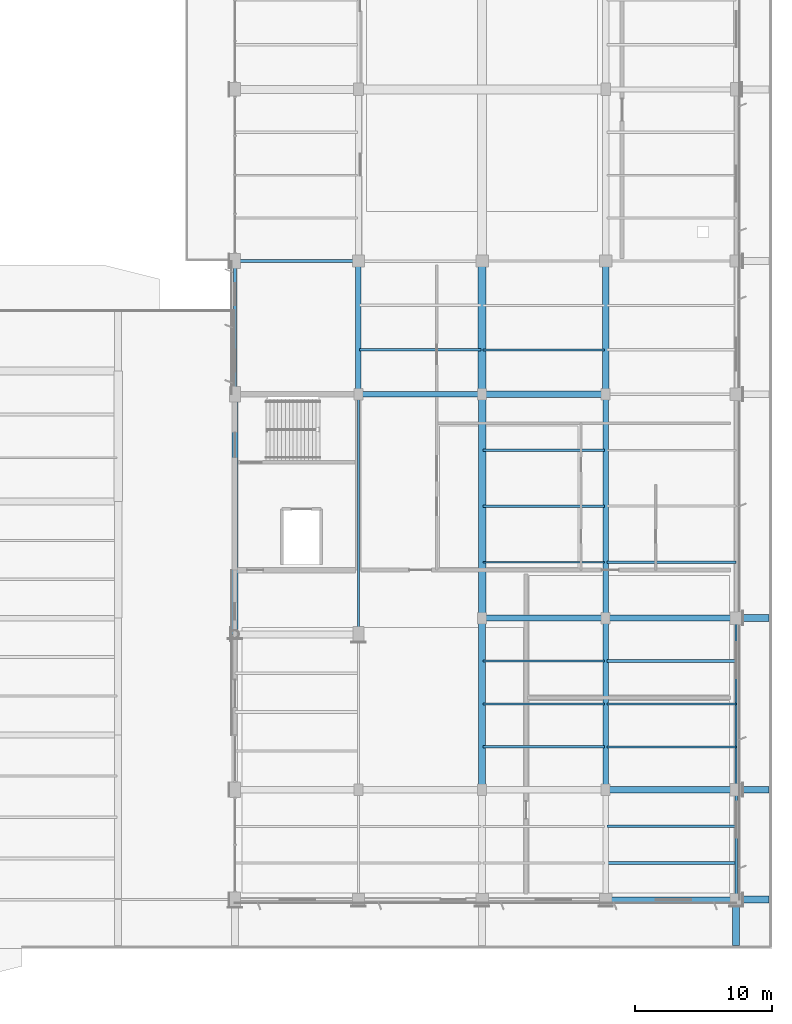
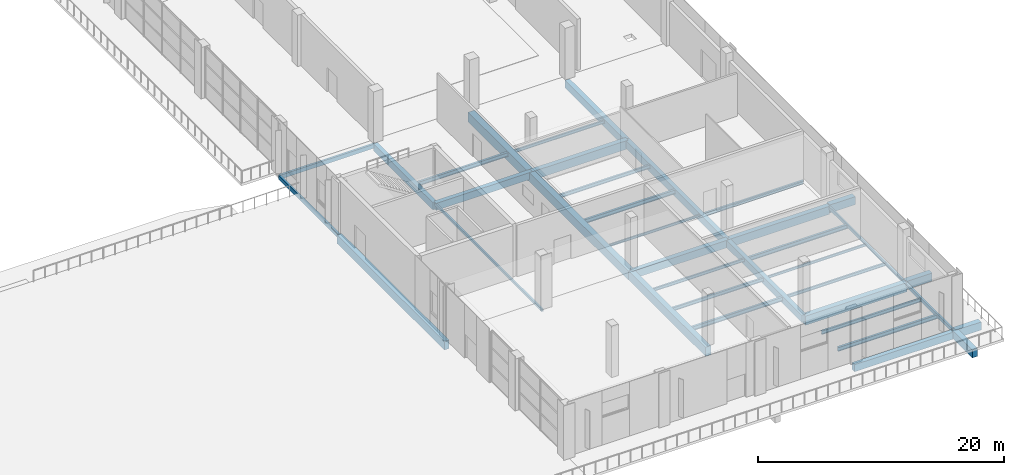
# One storey, part 38 of 90: 37 beams.
"""IFC4 building model written with IfcOpenShell, lengths in metres."""

import ifcopenshell
import ifcopenshell.guid

model = None  # the IFC model being written
_history = None  # IfcOwnerHistory: only IFC2X3 demands one
_inside = {}  # id of a spatial element -> (the spatial element, [elements in it])
_under = {}  # id of a project, library or spatial element -> (it, [spatial elements below it])
_declared = {}  # id of a project -> (the project, [libraries it declares])
_typed = {}  # id of a type object -> (the type object, [elements of that type])
_made_of = {}  # id of a material, layer set ... -> (it, [elements and type objects made of it])


def new_model(schema):
    """Start an empty IFC model of exactly this schema.

    Asked for "IFC4X3", IfcOpenShell would pick the latest addendum, in which some entities
    have other attributes; the version numbers below select the first issue.
    IFC2X3 requires an IfcOwnerHistory on every rooted entity: one is made here for all.
    """
    global model, _history
    if schema == "IFC4X3":
        model = ifcopenshell.file(schema_version=(4, 3, 0, 0))
    else:
        model = ifcopenshell.file(schema=schema)
    _inside.clear()
    _under.clear()
    _declared.clear()
    _typed.clear()
    _made_of.clear()
    _history = None
    if model.schema == "IFC2X3":
        org = make("IfcOrganization", Name="unknown")
        user = make(
            "IfcPersonAndOrganization",
            ThePerson=make("IfcPerson", FamilyName="unknown"),
            TheOrganization=org,
        )
        app = make(
            "IfcApplication",
            ApplicationDeveloper=org,
            Version="unknown",
            ApplicationFullName="unknown",
            ApplicationIdentifier="unknown",
        )
        _history = make(
            "IfcOwnerHistory",
            OwningUser=user,
            OwningApplication=app,
            ChangeAction="ADDED",
            CreationDate=0,
        )
    return model


def make(cls, **values):
    """One entity of the class cls with the attributes given. An attribute that is None is left unset."""
    return model.create_entity(
        cls, **{name: value for name, value in values.items() if value is not None}
    )


def rooted(cls, **values):
    """An entity with a GlobalId (a new one), such as an element, a storey or a relation."""
    return make(cls, GlobalId=ifcopenshell.guid.new(), OwnerHistory=_history, **values)


def si_unit(unit_type, name, prefix=None):
    """IfcSIUnit, for example si_unit("LENGTHUNIT", "METRE", prefix="MILLI")."""
    return make("IfcSIUnit", UnitType=unit_type, Prefix=prefix, Name=name)


def assignment(units):
    """IfcUnitAssignment: the units of a project."""
    return None if units is None else make("IfcUnitAssignment", Units=units)


def point(xyz):
    """IfcCartesianPoint."""
    return None if xyz is None else make("IfcCartesianPoint", Coordinates=xyz)


def direction(xyz):
    """IfcDirection."""
    return None if xyz is None else make("IfcDirection", DirectionRatios=xyz)


def frame(location, z_axis=None, x_axis=None):
    """IfcAxis2Placement3D, a coordinate frame: its origin and axes. An axis left out is left unset."""
    return make(
        "IfcAxis2Placement3D",
        Location=point(location),
        Axis=direction(z_axis),
        RefDirection=direction(x_axis),
    )


def frame_2d(location, x_axis=None):
    """IfcAxis2Placement2D, a coordinate frame in the plane: its origin and x axis."""
    return make(
        "IfcAxis2Placement2D", Location=point(location), RefDirection=direction(x_axis)
    )


def origin():
    """The frame at (0, 0, 0) with its axes left unset."""
    return frame((0.0, 0.0, 0.0))


def origin_2d():
    """The frame at (0, 0) in the plane with its x axis left unset."""
    return frame_2d((0.0, 0.0))


def place(relative_to, where):
    """IfcLocalPlacement: puts the frame where relative to a parent placement (None: the world)."""
    return make(
        "IfcLocalPlacement", PlacementRelTo=relative_to, RelativePlacement=where
    )


def context(
    kind, dimensions, precision=None, world=None, true_north=None, identifier=None
):
    """IfcGeometricRepresentationContext, for example the 3D "Model" context."""
    return make(
        "IfcGeometricRepresentationContext",
        ContextIdentifier=identifier,
        ContextType=kind,
        CoordinateSpaceDimension=dimensions,
        Precision=precision,
        WorldCoordinateSystem=world,
        TrueNorth=true_north,
    )


def subcontext(parent, identifier, kind, view, scale=None):
    """IfcGeometricRepresentationSubContext, for example "Body" below "Model"."""
    return make(
        "IfcGeometricRepresentationSubContext",
        ContextIdentifier=identifier,
        ContextType=kind,
        ParentContext=parent,
        TargetScale=scale,
        TargetView=view,
    )


def project(units=None, contexts=None):
    """IfcProject with its units and contexts."""
    return rooted(
        "IfcProject",
        Name="project",
        RepresentationContexts=contexts,
        UnitsInContext=assignment(units),
    )


def spatial(cls, under=None, at=None, **own):
    """A site, building, storey or space (cls), placed at a placement, below another one or the project."""
    s = rooted(cls, ObjectPlacement=at, **own)
    if under is not None:
        _under.setdefault(under.id(), (under, []))[1].append(s)
    return s


def profile(cls, at=None, kind="AREA", **sizes):
    """A parametric profile (cls). Its sizes go by their IFC names, for example OverallWidth=200.0."""
    return make(cls, ProfileType=kind, Position=at, **sizes)


def rectangle(**sizes):
    """IfcRectangleProfileDef."""
    return profile("IfcRectangleProfileDef", **sizes)


def hollow_rectangle(**sizes):
    """IfcRectangleHollowProfileDef."""
    return profile("IfcRectangleHollowProfileDef", **sizes)


def i_section(**sizes):
    """IfcIShapeProfileDef."""
    return profile("IfcIShapeProfileDef", **sizes)


def extrude(swept, where, along, depth):
    """IfcExtrudedAreaSolid: the profile swept, set in the frame where, extruded along a direction by depth."""
    return make(
        "IfcExtrudedAreaSolid",
        SweptArea=swept,
        Position=where,
        ExtrudedDirection=direction(along),
        Depth=depth,
    )


def shape(context_of_items, identifier, shape_type, items):
    """IfcShapeRepresentation: the items that make up one representation, for example the "Body"."""
    return make(
        "IfcShapeRepresentation",
        ContextOfItems=context_of_items,
        RepresentationIdentifier=identifier,
        RepresentationType=shape_type,
        Items=items,
    )


def material(Name=None, Category=None):
    """IfcMaterial."""
    return make("IfcMaterial", Name=Name, Category=Category)


def material_profile(
    of_material, cross_section, Name=None, Category=None, Priority=None
):
    """IfcMaterialProfile: a cross section and its material."""
    return make(
        "IfcMaterialProfile",
        Name=Name,
        Material=of_material,
        Profile=cross_section,
        Priority=Priority,
        Category=Category,
    )


def profile_set(profiles, Name=None, composite=None):
    """IfcMaterialProfileSet."""
    return make(
        "IfcMaterialProfileSet",
        Name=Name,
        MaterialProfiles=profiles,
        CompositeProfile=composite,
    )


def made_of(thing, what):
    """Note that an element or type object is made of a material, layer set ...; save() writes the relation."""
    if what is not None:
        _made_of.setdefault(what.id(), (what, []))[1].append(thing)
    return thing


def type_object(cls, material=None, **own):
    """A type object (cls), such as IfcWallType, which elements share."""
    return made_of(rooted(cls, **own), material)


def element(
    cls,
    number,
    at=None,
    inside=None,
    cuts=None,
    type_object=None,
    material=None,
    context=None,
    identifier="Body",
    shape_type=None,
    held_by="IfcProductDefinitionShape",
    body=None,
    shapes=None,
    **own,
):
    """One element of the class cls, such as IfcWall. Its Tag is "e" and its number.

    at: its placement. inside: the storey or other place that contains it. cuts: it is an
    opening in that element (IfcRelVoidsElement). A single representation is given by context,
    identifier, shape_type and body (its items); several are given by shapes. held_by: the class
    of the entity that holds the representations. save() writes the other relations.
    """
    e = rooted(cls, Tag="e%d" % number, ObjectPlacement=at, **own)
    if body is not None:
        shapes = [shape(context, identifier, shape_type, body)]
    if shapes is not None:
        e.Representation = make(held_by, Representations=shapes)
    if inside is not None:
        _inside.setdefault(inside.id(), (inside, []))[1].append(e)
    if cuts is not None:
        rooted(
            "IfcRelVoidsElement", RelatingBuildingElement=cuts, RelatedOpeningElement=e
        )
    if type_object is not None:
        _typed.setdefault(type_object.id(), (type_object, []))[1].append(e)
    return made_of(e, material)


def aggregate(whole, parts):
    """IfcRelAggregates: a whole, such as a stair, and the parts it consists of."""
    return rooted("IfcRelAggregates", RelatingObject=whole, RelatedObjects=parts)


def save(model, path):
    """Write the relations noted so far, then the file.

    IfcRelAggregates (storeys below a building ...), IfcRelContainedInSpatialStructure (elements
    in a storey), IfcRelDefinesByType, IfcRelAssociatesMaterial and IfcRelDeclares: one each for
    every whole, place, type object, material and project.
    """
    for whole, parts in _under.values():
        aggregate(whole, parts)
    for where, things in _inside.values():
        rooted(
            "IfcRelContainedInSpatialStructure",
            RelatedElements=things,
            RelatingStructure=where,
        )
    for kind, things in _typed.values():
        rooted("IfcRelDefinesByType", RelatedObjects=things, RelatingType=kind)
    for what, things in _made_of.values():
        rooted("IfcRelAssociatesMaterial", RelatedObjects=things, RelatingMaterial=what)
    for by, libraries in _declared.values():
        rooted("IfcRelDeclares", RelatingContext=by, RelatedDefinitions=libraries)
    model.write(path)


model = new_model("IFC4")

# Units and contexts
model_context = context("Model", 3, precision=1e-05, world=origin(), true_north=direction((0.0, 1.0)))
body_context = subcontext(model_context, "Body", "Model", "MODEL_VIEW")
ifc_project = project(units=[si_unit("LENGTHUNIT", "METRE"), si_unit("AREAUNIT", "SQUARE_METRE"), si_unit("VOLUMEUNIT", "CUBIC_METRE"), si_unit("PLANEANGLEUNIT", "RADIAN"), si_unit("MASSUNIT", "GRAM", prefix="KILO")], contexts=[model_context])

# Site, building, storey
site_placement = place(None, origin())
site = spatial("IfcSite", under=ifc_project, at=site_placement, CompositionType="ELEMENT")
building_placement = place(site_placement, origin())
building = spatial("IfcBuilding", under=site, at=building_placement, Name="Solvikara Media Centre", CompositionType="ELEMENT")
storey_placement = place(building_placement, origin())
storey = spatial("IfcBuildingStorey", under=building, at=storey_placement, Name="L00", CompositionType="ELEMENT", Elevation=0.0)

# Beams
ifc_material_1 = material(Name="Concrete fc' 35 MPa (C35/45)", Category="concrete")
ifc_material_profile_1 = material_profile(ifc_material_1, rectangle(XDim=0.39990234375, YDim=0.699951171875, at=origin_2d()), Name="RC 400x700")
ifc_profile_set_1 = profile_set([ifc_material_profile_1], Name="Concrete fc' 35 MPa (C35/45)")
beam_type_1 = type_object("IfcBeamType", Name="BM-03", PredefinedType="BEAM", material=ifc_profile_set_1)
beam_1_placement = place(storey_placement, frame((154.5, 8.0, -0.72998046875), z_axis=(0.0, 1.0, 0.0), x_axis=(-1.0, 0.0, 0.0)))
element("IfcBeam", 1, at=beam_1_placement, inside=storey, type_object=beam_type_1, Name="B-L00-Y0219", PredefinedType="BEAM", context=body_context, shape_type="SweptSolid", body=[
    extrude(rectangle(XDim=0.39990234375, YDim=0.699951171875, at=origin_2d()), origin(), (0.0, 0.0, 1.0), 12.5),
])
ifc_material_profile_2 = material_profile(ifc_material_1, rectangle(XDim=0.39990234375, YDim=0.75, at=origin_2d()), Name="RC 400x750")
ifc_profile_set_2 = profile_set([ifc_material_profile_2], Name="Concrete fc' 35 MPa (C35/45)")
beam_type_2 = type_object("IfcBeamType", Name="BM-04", PredefinedType="BEAM", material=ifc_profile_set_2)
beam_2_placement = place(storey_placement, frame((154.5, 20.5, -0.7548828125), z_axis=(0.0, 1.0, 0.0), x_axis=(-1.0, 0.0, 0.0)))
element("IfcBeam", 2, at=beam_2_placement, inside=storey, type_object=beam_type_2, Name="B-L00-Y0220", PredefinedType="BEAM", context=body_context, shape_type="SweptSolid", body=[
    extrude(rectangle(XDim=0.39990234375, YDim=0.75, at=origin_2d()), origin(), (0.0, 0.0, 1.0), 16.300048828125),
])
ifc_material_profile_3 = material_profile(ifc_material_1, rectangle(XDim=0.449951171875, YDim=0.75, at=origin_2d()), Name="RC 450x750")
ifc_profile_set_3 = profile_set([ifc_material_profile_3], Name="Concrete fc' 35 MPa (C35/45)")
beam_type_3 = type_object("IfcBeamType", Name="BM-05", PredefinedType="BEAM", material=ifc_profile_set_3)
beam_3_placement = place(storey_placement, frame((145.5, 20.5, -0.7548828125), z_axis=(1.0, 0.0, 0.0), x_axis=(0.0, 1.0, 0.0)))
element("IfcBeam", 3, at=beam_3_placement, inside=storey, type_object=beam_type_3, Name="B-L00-X0041", PredefinedType="BEAM", context=body_context, shape_type="SweptSolid", body=[
    extrude(rectangle(XDim=0.449951171875, YDim=0.75, at=origin_2d()), origin(), (0.0, 0.0, 1.0), 9.0),
])
beam_4_placement = place(storey_placement, frame((154.5, 36.800048828125, -0.7548828125), z_axis=(0.0, 1.0, 0.0), x_axis=(-1.0, 0.0, 0.0)))
element("IfcBeam", 4, at=beam_4_placement, inside=storey, type_object=beam_type_3, Name="B-L00-Y0221", PredefinedType="BEAM", context=body_context, shape_type="SweptSolid", body=[
    extrude(rectangle(XDim=0.449951171875, YDim=0.75, at=origin_2d()), origin(), (0.0, 0.0, 1.0), 9.699951171875),
])
ifc_material_profile_4 = material_profile(ifc_material_1, rectangle(XDim=0.449951171875, YDim=0.800048828125, at=origin_2d()), Name="RC 450x800")
ifc_profile_set_4 = profile_set([ifc_material_profile_4], Name="Concrete fc' 35 MPa (C35/45)")
beam_type_4 = type_object("IfcBeamType", Name="BM-06", PredefinedType="BEAM", material=ifc_profile_set_4)
beam_5_placement = place(storey_placement, frame((154.5, 20.5, -0.780029296875), z_axis=(1.0, 0.0, 0.0), x_axis=(0.0, 1.0, 0.0)))
element("IfcBeam", 5, at=beam_5_placement, inside=storey, type_object=beam_type_4, Name="B-L00-X0042", PredefinedType="BEAM", context=body_context, shape_type="SweptSolid", body=[
    extrude(rectangle(XDim=0.449951171875, YDim=0.800048828125, at=origin_2d()), origin(), (0.0, 0.0, 1.0), 9.5),
])
ifc_material_profile_5 = material_profile(ifc_material_1, rectangle(XDim=0.5, YDim=0.800048828125, at=origin_2d()), Name="RC 500x800")
ifc_profile_set_5 = profile_set([ifc_material_profile_5], Name="Concrete fc' 35 MPa (C35/45)")
beam_type_5 = type_object("IfcBeamType", Name="BM-07", PredefinedType="BEAM", material=ifc_profile_set_5)
for number, where, z_axis, x_axis, name in (
    (6, (164.0, 0.0, -0.64990234375), (1.0, 0.0, 0.0), (0.0, 1.0, 0.0), "B-L00-PRM-012"),
    (7, (164.0, 8.0, -0.64990234375), (1.0, 0.0, 0.0), (0.0, 1.0, 0.0), "B-L00-PRM-013"),
    (8, (164.0, 20.5, -0.64990234375), (1.0, 0.0, 0.0), (0.0, 1.0, 0.0), "B-L00-PRM-014"),
):
    element("IfcBeam", number, at=place(storey_placement, frame(where, z_axis=z_axis, x_axis=x_axis)), inside=storey, type_object=beam_type_5, Name=name, PredefinedType="BEAM", context=body_context, shape_type="SweptSolid", body=[
        extrude(rectangle(XDim=0.5, YDim=0.800048828125, at=origin_2d()), origin(), (0.0, 0.0, 1.0), 2.3798828125),
    ])
beam_6_placement = place(storey_placement, frame((164.0, -3.330078125, -0.64990234375), z_axis=(0.0, 1.0, 0.0), x_axis=(-1.0, 0.0, 0.0)))
element("IfcBeam", 9, at=beam_6_placement, inside=storey, type_object=beam_type_5, Name="B-L00-PRM-033", PredefinedType="BEAM", context=body_context, shape_type="SweptSolid", body=[
    extrude(rectangle(XDim=0.5, YDim=0.800048828125, at=origin_2d()), origin(), (0.0, 0.0, 1.0), 3.330078125),
])
ifc_material_2 = material(Name="Concrete fc' 45 MPa (C45/55)", Category="concrete")
ifc_material_profile_6 = material_profile(ifc_material_2, rectangle(XDim=0.5, YDim=0.89990234375, at=origin_2d()), Name="RC 500x900")
ifc_profile_set_6 = profile_set([ifc_material_profile_6], Name="Concrete fc' 45 MPa (C45/55)")
beam_type_6 = type_object("IfcBeamType", Name="BM-09", PredefinedType="BEAM", material=ifc_profile_set_6)
beam_7_placement = place(storey_placement, frame((154.5, 8.0, -0.830078125), z_axis=(1.0, 0.0, 0.0), x_axis=(0.0, 1.0, 0.0)))
element("IfcBeam", 10, at=beam_7_placement, inside=storey, type_object=beam_type_6, Name="B-L00-X0021", PredefinedType="BEAM", context=body_context, shape_type="SweptSolid", body=[
    extrude(rectangle(XDim=0.5, YDim=0.89990234375, at=origin_2d()), origin(), (0.0, 0.0, 1.0), 9.5),
])
beam_8_placement = place(storey_placement, frame((145.5, 8.0, -0.830078125), z_axis=(0.0, 1.0, 0.0), x_axis=(-1.0, 0.0, 0.0)))
element("IfcBeam", 11, at=beam_8_placement, inside=storey, type_object=beam_type_6, Name="B-L00-Y0213", PredefinedType="BEAM", context=body_context, shape_type="SweptSolid", body=[
    extrude(rectangle(XDim=0.5, YDim=0.89990234375, at=origin_2d()), origin(), (0.0, 0.0, 1.0), 12.5),
])
ifc_material_profile_7 = material_profile(ifc_material_2, rectangle(XDim=0.550048828125, YDim=0.89990234375, at=origin_2d()), Name="RC 550x900")
ifc_profile_set_7 = profile_set([ifc_material_profile_7], Name="Concrete fc' 45 MPa (C45/55)")
beam_type_7 = type_object("IfcBeamType", Name="BM-10", PredefinedType="BEAM", material=ifc_profile_set_7)
beam_9_placement = place(storey_placement, frame((145.5, 20.5, -0.830078125), z_axis=(0.0, 1.0, 0.0), x_axis=(-1.0, 0.0, 0.0)))
element("IfcBeam", 12, at=beam_9_placement, inside=storey, type_object=beam_type_7, Name="B-L00-Y0214", PredefinedType="BEAM", context=body_context, shape_type="SweptSolid", body=[
    extrude(rectangle(XDim=0.550048828125, YDim=0.89990234375, at=origin_2d()), origin(), (0.0, 0.0, 1.0), 16.300048828125),
])
ifc_material_profile_8 = material_profile(ifc_material_2, rectangle(XDim=0.60009765625, YDim=0.949951171875, at=origin_2d()), Name="RC 600x950")
ifc_profile_set_8 = profile_set([ifc_material_profile_8], Name="Concrete fc' 45 MPa (C45/55)")
beam_type_8 = type_object("IfcBeamType", Name="BM-11", PredefinedType="BEAM", material=ifc_profile_set_8)
beam_10_placement = place(storey_placement, frame((145.5, 36.800048828125, -0.85498046875), z_axis=(0.0, 1.0, 0.0), x_axis=(-1.0, 0.0, 0.0)))
element("IfcBeam", 13, at=beam_10_placement, inside=storey, type_object=beam_type_8, Name="B-L00-Y0215", PredefinedType="BEAM", context=body_context, shape_type="SweptSolid", body=[
    extrude(rectangle(XDim=0.60009765625, YDim=0.949951171875, at=origin_2d()), origin(), (0.0, 0.0, 1.0), 9.699951171875),
])
ifc_material_profile_9 = material_profile(ifc_material_1, rectangle(XDim=0.39990234375, YDim=0.699951171875, at=origin_2d()), Name="RC 400x700")
ifc_profile_set_9 = profile_set([ifc_material_profile_9], Name="Concrete fc' 35 MPa (C35/45)")
beam_type_9 = type_object("IfcBeamType", Name="BM-13", PredefinedType="SPANDREL", material=ifc_profile_set_9)
beam_11_placement = place(storey_placement, frame((154.5, 0.0, -0.72998046875), z_axis=(1.0, 0.0, 0.0), x_axis=(0.0, 1.0, 0.0)))
element("IfcBeam", 14, at=beam_11_placement, inside=storey, type_object=beam_type_9, Name="B-L00-X0017", PredefinedType="SPANDREL", context=body_context, shape_type="SweptSolid", body=[
    extrude(rectangle(XDim=0.39990234375, YDim=0.699951171875, at=origin_2d()), origin(), (0.0, 0.0, 1.0), 9.5),
])
beam_12_placement = place(storey_placement, frame((136.5, 36.800048828125, -0.72998046875), z_axis=(1.0, 0.0, 0.0), x_axis=(0.0, 1.0, 0.0)))
element("IfcBeam", 15, at=beam_12_placement, inside=storey, type_object=beam_type_9, Name="B-L00-X0055", PredefinedType="SPANDREL", context=body_context, shape_type="SweptSolid", body=[
    extrude(rectangle(XDim=0.39990234375, YDim=0.699951171875, at=origin_2d()), origin(), (0.0, 0.0, 1.0), 9.0),
])
beam_13_placement = place(storey_placement, frame((136.5, 36.800048828125, -0.72998046875), z_axis=(0.0, 1.0, 0.0), x_axis=(-1.0, 0.0, 0.0)))
element("IfcBeam", 16, at=beam_13_placement, inside=storey, type_object=beam_type_9, Name="B-L00-Y0205", PredefinedType="SPANDREL", context=body_context, shape_type="SweptSolid", body=[
    extrude(rectangle(XDim=0.39990234375, YDim=0.699951171875, at=origin_2d()), origin(), (0.0, 0.0, 1.0), 9.699951171875),
])
ifc_material_profile_10 = material_profile(ifc_material_1, rectangle(XDim=0.449951171875, YDim=0.85009765625, at=origin_2d()), Name="RC 450x850")
ifc_profile_set_10 = profile_set([ifc_material_profile_10], Name="Concrete fc' 35 MPa (C35/45)")
beam_type_10 = type_object("IfcBeamType", Name="BM-14", PredefinedType="SPANDREL", material=ifc_profile_set_10)
beam_14_placement = place(storey_placement, frame((145.5, 36.800048828125, -0.804931640625), z_axis=(1.0, 0.0, 0.0), x_axis=(0.0, 1.0, 0.0)))
element("IfcBeam", 17, at=beam_14_placement, inside=storey, type_object=beam_type_10, Name="B-L00-X0056", PredefinedType="SPANDREL", context=body_context, shape_type="SweptSolid", body=[
    extrude(rectangle(XDim=0.449951171875, YDim=0.85009765625, at=origin_2d()), origin(), (0.0, 0.0, 1.0), 9.0),
])
beam_15_placement = place(storey_placement, frame((127.5, 19.323974609375, -0.804931640625), z_axis=(0.0, 1.0, 0.0), x_axis=(-1.0, 0.0, 0.0)))
element("IfcBeam", 18, at=beam_15_placement, inside=storey, type_object=beam_type_10, Name="B-L00-Y0194", PredefinedType="SPANDREL", context=body_context, shape_type="SweptSolid", body=[
    extrude(rectangle(XDim=0.449951171875, YDim=0.85009765625, at=origin_2d()), origin(), (0.0, 0.0, 1.0), 17.47607421875),
])
ifc_material_3 = material(Name="Steel S355JR", Category="steel")
ifc_material_profile_11 = material_profile(ifc_material_3, i_section(OverallWidth=0.199951171875, OverallDepth=0.39990234375, WebThickness=0.008056640625, FlangeThickness=0.012939453125, at=origin_2d()), Name="WF 400x200x8x13")
ifc_profile_set_11 = profile_set([ifc_material_profile_11], Name="Steel S355JR")
beam_type_11 = type_object("IfcBeamType", Name="BM-21", PredefinedType="JOIST", material=ifc_profile_set_11)
for number, where, z_axis, x_axis, name in (
    (19, (136.577880859375, 40.032958984375, -0.58203125), (1.0, 0.0, 0.0), (0.0, 1.0, 0.0), "J-L00-0401"),
    (20, (145.577880859375, 28.64990234375, -0.58203125), (1.0, 0.0, 0.0), (0.0, 1.0, 0.0), "J-L00-0409"),
):
    element("IfcBeam", number, at=place(storey_placement, frame(where, z_axis=z_axis, x_axis=x_axis)), inside=storey, type_object=beam_type_11, Name=name, PredefinedType="JOIST", context=body_context, shape_type="SweptSolid", body=[
        extrude(i_section(OverallWidth=0.199951171875, OverallDepth=0.39990234375, WebThickness=0.008056640625, FlangeThickness=0.012939453125, at=origin_2d()), origin(), (0.0, 0.0, 1.0), 8.84423828125),
    ])
beam_16_placement = place(storey_placement, frame((154.577880859375, 17.375, -0.58203125), z_axis=(1.0, 0.0, 0.0), x_axis=(0.0, 1.0, 0.0)))
element("IfcBeam", 21, at=beam_16_placement, inside=storey, type_object=beam_type_11, Name="J-L00-0417", PredefinedType="JOIST", context=body_context, shape_type="SweptSolid", body=[
    extrude(i_section(OverallWidth=0.199951171875, OverallDepth=0.39990234375, WebThickness=0.008056640625, FlangeThickness=0.012939453125, at=origin_2d()), origin(), (0.0, 0.0, 1.0), 9.422119140625),
])
ifc_material_profile_12 = material_profile(ifc_material_3, i_section(OverallWidth=0.175048828125, OverallDepth=0.35009765625, WebThickness=0.007080078125, FlangeThickness=0.010986328125, at=origin_2d()), Name="WF 350x175x7x11")
ifc_profile_set_12 = profile_set([ifc_material_profile_12], Name="Steel S355JR")
beam_type_12 = type_object("IfcBeamType", Name="BM-22", PredefinedType="JOIST", material=ifc_profile_set_12)
beam_17_placement = place(storey_placement, frame((145.577880859375, 32.72509765625, -0.556884765625), z_axis=(1.0, 0.0, 0.0), x_axis=(0.0, 1.0, 0.0)))
element("IfcBeam", 22, at=beam_17_placement, inside=storey, type_object=beam_type_12, Name="J-L00-0410", PredefinedType="JOIST", context=body_context, shape_type="SweptSolid", body=[
    extrude(i_section(OverallWidth=0.175048828125, OverallDepth=0.35009765625, WebThickness=0.007080078125, FlangeThickness=0.010986328125, at=origin_2d()), origin(), (0.0, 0.0, 1.0), 8.84423828125),
])
beam_18_placement = place(storey_placement, frame((154.577880859375, 24.574951171875, -0.556884765625), z_axis=(1.0, 0.0, 0.0), x_axis=(0.0, 1.0, 0.0)))
element("IfcBeam", 23, at=beam_18_placement, inside=storey, type_object=beam_type_12, Name="J-L00-0418", PredefinedType="JOIST", context=body_context, shape_type="SweptSolid", body=[
    extrude(i_section(OverallWidth=0.175048828125, OverallDepth=0.35009765625, WebThickness=0.007080078125, FlangeThickness=0.010986328125, at=origin_2d()), origin(), (0.0, 0.0, 1.0), 9.422119140625),
])
ifc_material_profile_13 = material_profile(ifc_material_3, i_section(OverallWidth=0.14990234375, OverallDepth=0.300048828125, WebThickness=0.006591796875, FlangeThickness=0.009033203125, at=origin_2d()), Name="WF 300x150x6.5x9")
ifc_profile_set_13 = profile_set([ifc_material_profile_13], Name="Steel S355JR")
beam_type_13 = type_object("IfcBeamType", Name="BM-23", PredefinedType="JOIST", material=ifc_profile_set_13)
beam_19_placement = place(storey_placement, frame((145.577880859375, 40.032958984375, -0.531982421875), z_axis=(1.0, 0.0, 0.0), x_axis=(0.0, 1.0, 0.0)))
element("IfcBeam", 24, at=beam_19_placement, inside=storey, type_object=beam_type_13, Name="J-L00-0411", PredefinedType="JOIST", context=body_context, shape_type="SweptSolid", body=[
    extrude(i_section(OverallWidth=0.14990234375, OverallDepth=0.300048828125, WebThickness=0.006591796875, FlangeThickness=0.009033203125, at=origin_2d()), origin(), (0.0, 0.0, 1.0), 8.84423828125),
])
ifc_material_profile_14 = material_profile(ifc_material_3, hollow_rectangle(XDim=0.199951171875, YDim=0.39990234375, WallThickness=0.011962890625, at=origin_2d()), Name="RHS 400x200x12")
ifc_profile_set_14 = profile_set([ifc_material_profile_14], Name="Steel S355JR")
beam_type_14 = type_object("IfcBeamType", Name="BM-33", PredefinedType="SPANDREL", material=ifc_profile_set_14)
beam_20_placement = place(storey_placement, frame((127.5, 46.5, -0.58203125), z_axis=(1.0, 0.0, 0.0), x_axis=(0.0, 1.0, 0.0)))
element("IfcBeam", 25, at=beam_20_placement, inside=storey, type_object=beam_type_14, Name="B-L00-X0063", PredefinedType="SPANDREL", context=body_context, shape_type="SweptSolid", body=[
    extrude(hollow_rectangle(XDim=0.199951171875, YDim=0.39990234375, WallThickness=0.011962890625, at=origin_2d()), origin(), (0.0, 0.0, 1.0), 9.0),
])
beam_21_placement = place(storey_placement, frame((127.5, 36.800048828125, -0.58203125), z_axis=(0.0, 1.0, 0.0), x_axis=(-1.0, 0.0, 0.0)))
element("IfcBeam", 26, at=beam_21_placement, inside=storey, type_object=beam_type_14, Name="B-L00-Y0195", PredefinedType="SPANDREL", context=body_context, shape_type="SweptSolid", body=[
    extrude(hollow_rectangle(XDim=0.199951171875, YDim=0.39990234375, WallThickness=0.011962890625, at=origin_2d()), origin(), (0.0, 0.0, 1.0), 9.699951171875),
])
ifc_material_profile_15 = material_profile(ifc_material_3, hollow_rectangle(XDim=0.175048828125, YDim=0.35009765625, WallThickness=0.010009765625, at=origin_2d()), Name="RHS 350x175x10")
ifc_profile_set_15 = profile_set([ifc_material_profile_15], Name="Steel S355JR")
beam_type_15 = type_object("IfcBeamType", Name="BM-34", PredefinedType="SPANDREL", material=ifc_profile_set_15)
beam_22_placement = place(storey_placement, frame((164.0, 0.0, -0.556884765625), z_axis=(0.0, 1.0, 0.0), x_axis=(-1.0, 0.0, 0.0)))
element("IfcBeam", 27, at=beam_22_placement, inside=storey, type_object=beam_type_15, Name="B-L00-Y0228", PredefinedType="SPANDREL", context=body_context, shape_type="SweptSolid", body=[
    extrude(hollow_rectangle(XDim=0.175048828125, YDim=0.35009765625, WallThickness=0.010009765625, at=origin_2d()), origin(), (0.0, 0.0, 1.0), 8.0),
])
ifc_material_profile_16 = material_profile(ifc_material_3, hollow_rectangle(XDim=0.14990234375, YDim=0.300048828125, WallThickness=0.010009765625, at=origin_2d()), Name="RHS 300x150x10")
ifc_profile_set_16 = profile_set([ifc_material_profile_16], Name="Steel S355JR")
beam_type_16 = type_object("IfcBeamType", Name="BM-35", PredefinedType="BEAM", material=ifc_profile_set_16)
beam_23_placement = place(storey_placement, frame((164.0, 8.0, -0.531982421875), z_axis=(0.0, 1.0, 0.0), x_axis=(-1.0, 0.0, 0.0)))
element("IfcBeam", 28, at=beam_23_placement, inside=storey, type_object=beam_type_16, Name="B-L00-Y0229", PredefinedType="BEAM", context=body_context, shape_type="SweptSolid", body=[
    extrude(hollow_rectangle(XDim=0.14990234375, YDim=0.300048828125, WallThickness=0.010009765625, at=origin_2d()), origin(), (0.0, 0.0, 1.0), 12.5),
])
ifc_material_profile_17 = material_profile(ifc_material_3, hollow_rectangle(XDim=0.14990234375, YDim=0.25, WallThickness=0.008056640625, at=origin_2d()), Name="RHS 250x150x8")
ifc_profile_set_17 = profile_set([ifc_material_profile_17], Name="Steel S355JR")
beam_type_17 = type_object("IfcBeamType", Name="BM-36", PredefinedType="JOIST", material=ifc_profile_set_17)
beam_24_placement = place(storey_placement, frame((136.5, 19.323974609375, -0.507080078125), z_axis=(0.0, 1.0, 0.0), x_axis=(-1.0, 0.0, 0.0)))
element("IfcBeam", 29, at=beam_24_placement, inside=storey, type_object=beam_type_17, Name="B-L00-Y0204", PredefinedType="JOIST", context=body_context, shape_type="SweptSolid", body=[
    extrude(hollow_rectangle(XDim=0.14990234375, YDim=0.25, WallThickness=0.008056640625, at=origin_2d()), origin(), (0.0, 0.0, 1.0), 17.47607421875),
])
ifc_material_profile_18 = material_profile(ifc_material_3, i_section(OverallWidth=0.198974609375, OverallDepth=0.39599609375, WebThickness=0.007080078125, FlangeThickness=0.010986328125, at=origin_2d()), Name="WF 396x199x7x11")
ifc_profile_set_18 = profile_set([ifc_material_profile_18], Name="Steel S355JR")
beam_type_18 = type_object("IfcBeamType", Name="BM-37", PredefinedType="JOIST", material=ifc_profile_set_18)
beam_25_placement = place(storey_placement, frame((145.577880859375, 11.125, -0.580078125), z_axis=(1.0, 0.0, 0.0), x_axis=(0.0, 1.0, 0.0)))
element("IfcBeam", 30, at=beam_25_placement, inside=storey, type_object=beam_type_18, Name="J-L00-0405", PredefinedType="JOIST", context=body_context, shape_type="SweptSolid", body=[
    extrude(i_section(OverallWidth=0.198974609375, OverallDepth=0.39599609375, WebThickness=0.007080078125, FlangeThickness=0.010986328125, at=origin_2d()), origin(), (0.0, 0.0, 1.0), 8.84423828125),
])
beam_26_placement = place(storey_placement, frame((154.577880859375, 2.6669921875, -0.580078125), z_axis=(1.0, 0.0, 0.0), x_axis=(0.0, 1.0, 0.0)))
element("IfcBeam", 31, at=beam_26_placement, inside=storey, type_object=beam_type_18, Name="J-L00-0413", PredefinedType="JOIST", context=body_context, shape_type="SweptSolid", body=[
    extrude(i_section(OverallWidth=0.198974609375, OverallDepth=0.39599609375, WebThickness=0.007080078125, FlangeThickness=0.010986328125, at=origin_2d()), origin(), (0.0, 0.0, 1.0), 9.422119140625),
])
ifc_material_profile_19 = material_profile(ifc_material_3, i_section(OverallWidth=0.174072265625, OverallDepth=0.345947265625, WebThickness=0.006103515625, FlangeThickness=0.009033203125, at=origin_2d()), Name="WF 346x174x6x9")
ifc_profile_set_19 = profile_set([ifc_material_profile_19], Name="Steel S355JR")
beam_type_19 = type_object("IfcBeamType", Name="BM-38", PredefinedType="JOIST", material=ifc_profile_set_19)
beam_27_placement = place(storey_placement, frame((145.577880859375, 14.25, -0.554931640625), z_axis=(1.0, 0.0, 0.0), x_axis=(0.0, 1.0, 0.0)))
element("IfcBeam", 32, at=beam_27_placement, inside=storey, type_object=beam_type_19, Name="J-L00-0406", PredefinedType="JOIST", context=body_context, shape_type="SweptSolid", body=[
    extrude(i_section(OverallWidth=0.174072265625, OverallDepth=0.345947265625, WebThickness=0.006103515625, FlangeThickness=0.009033203125, at=origin_2d()), origin(), (0.0, 0.0, 1.0), 8.84423828125),
])
beam_28_placement = place(storey_placement, frame((154.577880859375, 5.3330078125, -0.554931640625), z_axis=(1.0, 0.0, 0.0), x_axis=(0.0, 1.0, 0.0)))
element("IfcBeam", 33, at=beam_28_placement, inside=storey, type_object=beam_type_19, Name="J-L00-0414", PredefinedType="JOIST", context=body_context, shape_type="SweptSolid", body=[
    extrude(i_section(OverallWidth=0.174072265625, OverallDepth=0.345947265625, WebThickness=0.006103515625, FlangeThickness=0.009033203125, at=origin_2d()), origin(), (0.0, 0.0, 1.0), 9.422119140625),
])
ifc_material_profile_20 = material_profile(ifc_material_3, i_section(OverallWidth=0.14892578125, OverallDepth=0.298095703125, WebThickness=0.005615234375, FlangeThickness=0.008056640625, at=origin_2d()), Name="WF 298x149x5.5x8")
ifc_profile_set_20 = profile_set([ifc_material_profile_20], Name="Steel S355JR")
beam_type_20 = type_object("IfcBeamType", Name="BM-39", PredefinedType="JOIST", material=ifc_profile_set_20)
beam_29_placement = place(storey_placement, frame((145.577880859375, 17.375, -0.531005859375), z_axis=(1.0, 0.0, 0.0), x_axis=(0.0, 1.0, 0.0)))
element("IfcBeam", 34, at=beam_29_placement, inside=storey, type_object=beam_type_20, Name="J-L00-0407", PredefinedType="JOIST", context=body_context, shape_type="SweptSolid", body=[
    extrude(i_section(OverallWidth=0.14892578125, OverallDepth=0.298095703125, WebThickness=0.005615234375, FlangeThickness=0.008056640625, at=origin_2d()), origin(), (0.0, 0.0, 1.0), 8.84423828125),
])
beam_30_placement = place(storey_placement, frame((154.577880859375, 11.125, -0.531005859375), z_axis=(1.0, 0.0, 0.0), x_axis=(0.0, 1.0, 0.0)))
element("IfcBeam", 35, at=beam_30_placement, inside=storey, type_object=beam_type_20, Name="J-L00-0415", PredefinedType="JOIST", context=body_context, shape_type="SweptSolid", body=[
    extrude(i_section(OverallWidth=0.14892578125, OverallDepth=0.298095703125, WebThickness=0.005615234375, FlangeThickness=0.008056640625, at=origin_2d()), origin(), (0.0, 0.0, 1.0), 9.422119140625),
])
ifc_material_profile_21 = material_profile(ifc_material_3, i_section(OverallWidth=0.1240234375, OverallDepth=0.248046875, WebThickness=0.0048828125, FlangeThickness=0.008056640625, at=origin_2d()), Name="WF 248x124x5x8")
ifc_profile_set_21 = profile_set([ifc_material_profile_21], Name="Steel S355JR")
beam_type_21 = type_object("IfcBeamType", Name="BM-40", PredefinedType="JOIST", material=ifc_profile_set_21)
beam_31_placement = place(storey_placement, frame((145.577880859375, 24.574951171875, -0.506103515625), z_axis=(1.0, 0.0, 0.0), x_axis=(0.0, 1.0, 0.0)))
element("IfcBeam", 36, at=beam_31_placement, inside=storey, type_object=beam_type_21, Name="J-L00-0408", PredefinedType="JOIST", context=body_context, shape_type="SweptSolid", body=[
    extrude(i_section(OverallWidth=0.1240234375, OverallDepth=0.248046875, WebThickness=0.0048828125, FlangeThickness=0.008056640625, at=origin_2d()), origin(), (0.0, 0.0, 1.0), 8.84423828125),
])
beam_32_placement = place(storey_placement, frame((154.577880859375, 14.25, -0.506103515625), z_axis=(1.0, 0.0, 0.0), x_axis=(0.0, 1.0, 0.0)))
element("IfcBeam", 37, at=beam_32_placement, inside=storey, type_object=beam_type_21, Name="J-L00-0416", PredefinedType="JOIST", context=body_context, shape_type="SweptSolid", body=[
    extrude(i_section(OverallWidth=0.1240234375, OverallDepth=0.248046875, WebThickness=0.0048828125, FlangeThickness=0.008056640625, at=origin_2d()), origin(), (0.0, 0.0, 1.0), 9.422119140625),
])

save(model, "model.ifc")
